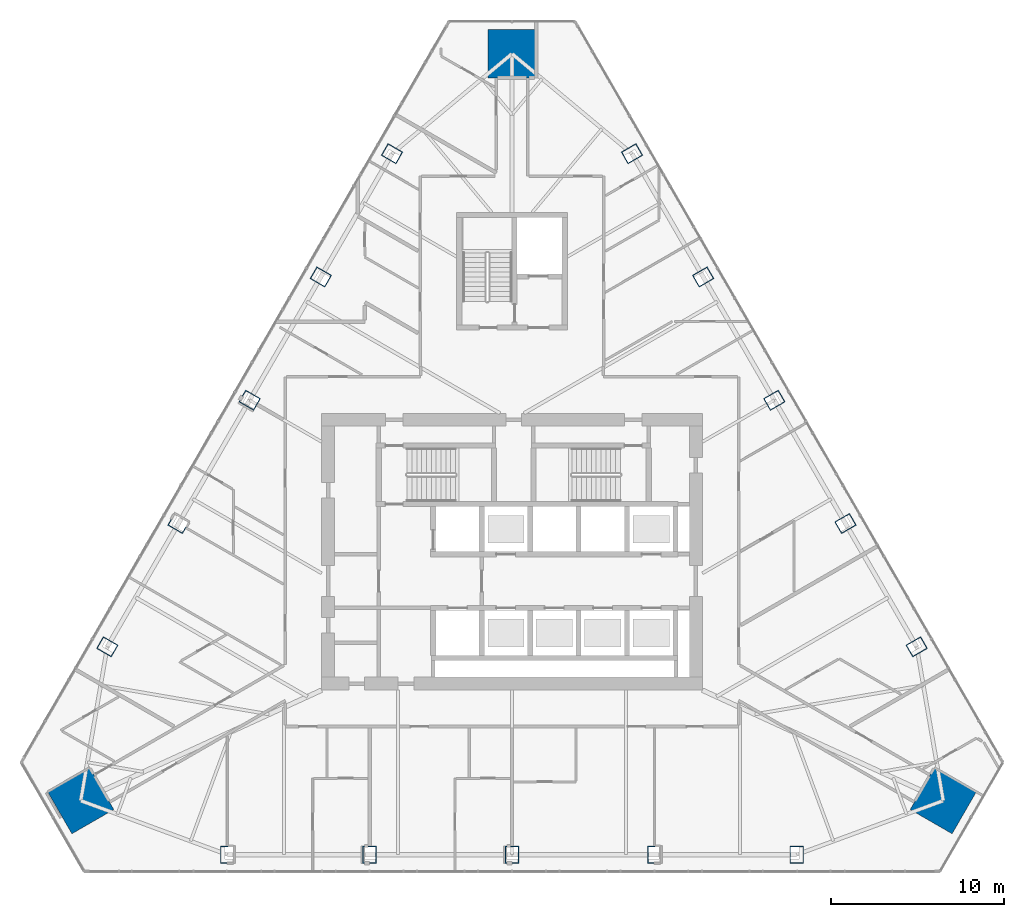
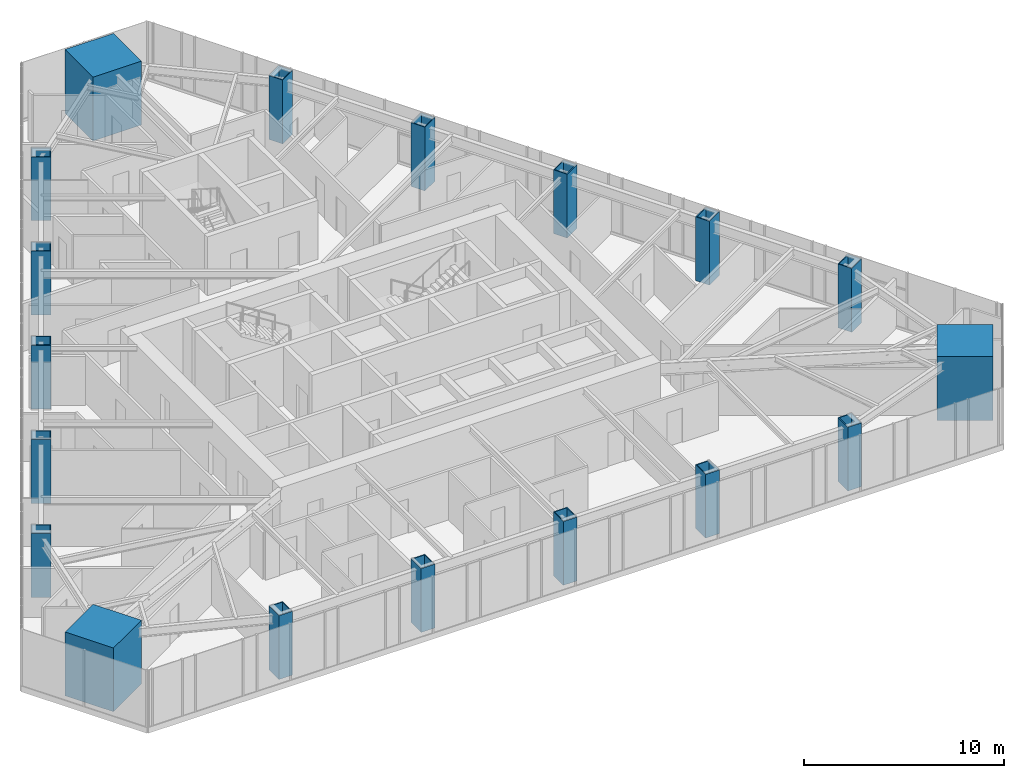
# One storey, part 1 of 24: 18 columns.
"""IFC4 building model written with IfcOpenShell, lengths in metres."""

from ifc_helpers import new_model, si_unit, direction, frame, origin, origin_2d, place, context, subcontext, project, spatial, rectangle, hollow_rectangle, extrude, material, material_profile, profile_set, type_object, element, save


model = new_model("IFC4")

# Units and contexts
model_context = context("Model", 3, precision=1e-05, world=origin(), true_north=direction((0.0, 1.0)))
body_context = subcontext(model_context, "Body", "Model", "MODEL_VIEW")
ifc_project = project(units=[si_unit("LENGTHUNIT", "METRE"), si_unit("AREAUNIT", "SQUARE_METRE"), si_unit("VOLUMEUNIT", "CUBIC_METRE"), si_unit("PLANEANGLEUNIT", "RADIAN"), si_unit("MASSUNIT", "GRAM", prefix="KILO")], contexts=[model_context])

# Site, building, storey
site_placement = place(None, origin())
site = spatial("IfcSite", under=ifc_project, at=site_placement, CompositionType="ELEMENT")
building_placement = place(site_placement, origin())
building = spatial("IfcBuilding", under=site, at=building_placement, Name="Firuza Gate Tower and Library", CompositionType="ELEMENT")
storey_placement = place(building_placement, frame((0.0, 0.0, 237.699951171875)))
storey = spatial("IfcBuildingStorey", under=building, at=storey_placement, Name="L56", CompositionType="ELEMENT", Elevation=237.699951171875)

# Columns
ifc_material_1 = material(Name="Steel S355", Category="steel")
ifc_material_profile_1 = material_profile(ifc_material_1, hollow_rectangle(XDim=0.800048828125, YDim=1.0, WallThickness=0.050048828125, at=origin_2d()))
ifc_profile_set_1 = profile_set([ifc_material_profile_1], Name="Steel S355")
column_type_1 = type_object("IfcColumnType", Name="BU1000x800x50 Composite box column", PredefinedType="COLUMN", material=ifc_profile_set_1)
for number, where, z_axis, x_axis, name in (
    (1, (58.548828125, 57.49609375, -0.000244140625), (0.0, 0.0, 1.0), (1.0, 0.0, 0.0), "Column S1 L56"),
    (2, (66.7744140625, 57.49609375, -0.000244140625), (0.0, 0.0, 1.0), (1.0, 0.0, 0.0), "Column S2 L56"),
    (3, (75.0, 57.49609375, -0.000244140625), (0.0, 0.0, 1.0), (1.0, 0.0, 0.0), "Column S3 L56"),
    (4, (83.2255859375, 57.49609375, -0.000244140625), (0.0, 0.0, 1.0), (1.0, 0.0, 0.0), "Column S4 L56"),
    (5, (91.451171875, 57.49609375, -0.000244140625), (0.0, 0.0, 1.0), (1.0, 0.0, 0.0), "Column S5 L56"),
    (6, (98.384521484375, 69.5048828125, -0.000244140625), (0.0, 0.0, 1.0), (-0.5, 0.866025403784, 0.0), "Column E1 L56"),
    (7, (94.271728515625, 76.62841796875, -0.000244140625), (0.0, 0.0, 1.0), (-0.5, 0.866025403784, 0.0), "Column E2 L56"),
    (8, (90.158935546875, 83.751953125, -0.000244140625), (0.0, 0.0, 1.0), (-0.5, 0.866025403784, 0.0), "Column E3 L56"),
    (9, (86.046142578125, 90.87548828125, -0.000244140625), (0.0, 0.0, 1.0), (-0.5, 0.866025403784, 0.0), "Column E4 L56"),
    (10, (81.933349609375, 97.9990234375, -0.000244140625), (0.0, 0.0, 1.0), (-0.5, 0.866025403784, 0.0), "Column E5 L56"),
    (11, (68.066650390625, 97.9990234375, -0.000244140625), (0.0, 0.0, 1.0), (-0.5, -0.866025403784, 0.0), "Column W1 L56"),
    (12, (63.953857421875, 90.87548828125, -0.000244140625), (0.0, 0.0, 1.0), (-0.5, -0.866025403784, 0.0), "Column W2 L56"),
    (13, (59.841064453125, 83.751953125, -0.000244140625), (0.0, 0.0, 1.0), (-0.5, -0.866025403784, 0.0), "Column W3 L56"),
    (14, (55.728271484375, 76.62841796875, -0.000244140625), (0.0, 0.0, 1.0), (-0.5, -0.866025403784, 0.0), "Column W4 L56"),
    (15, (51.615478515625, 69.5048828125, -0.000244140625), (0.0, 0.0, 1.0), (-0.5, -0.866025403784, 0.0), "Column W5 L56"),
):
    element("IfcColumn", number, at=place(storey_placement, frame(where, z_axis=z_axis, x_axis=x_axis)), inside=storey, type_object=column_type_1, Name=name, PredefinedType="COLUMN", context=body_context, shape_type="SweptSolid", body=[
        extrude(hollow_rectangle(XDim=0.800048828125, YDim=1.0, WallThickness=0.050048828125, at=origin_2d()), origin(), (0.0, 0.0, 1.0), 3.900390625),
    ])
ifc_material_2 = material(Name="Concrete C80/95", Category="concrete")
ifc_material_profile_2 = material_profile(ifc_material_2, rectangle(XDim=2.800048828125, YDim=2.800048828125, at=origin_2d()))
ifc_profile_set_2 = profile_set([ifc_material_profile_2], Name="Concrete C80/95")
column_type_2 = type_object("IfcColumnType", Name="Mega column 2800x2800 C80/95", PredefinedType="COLUMN", material=ifc_profile_set_2)
for number, where, z_axis, x_axis, name in (
    (16, (99.917724609375, 60.61376953125, 0.0), (0.0, 0.0, 1.0), (0.5, 0.866025403784, 0.0), "Mega column SE L56"),
    (17, (75.0, 103.772705078125, 0.0), (0.0, 0.0, 1.0), (-1.0, 0.0, 0.0), "Mega column N L56"),
    (18, (50.082275390625, 60.61376953125, 0.0), (0.0, 0.0, 1.0), (0.5, -0.866025403784, 0.0), "Mega column SW L56"),
):
    element("IfcColumn", number, at=place(storey_placement, frame(where, z_axis=z_axis, x_axis=x_axis)), inside=storey, type_object=column_type_2, Name=name, PredefinedType="COLUMN", context=body_context, shape_type="SweptSolid", body=[
        extrude(rectangle(XDim=2.800048828125, YDim=2.800048828125, at=origin_2d()), origin(), (0.0, 0.0, 1.0), 3.900146484375),
    ])

save(model, "model.ifc")
